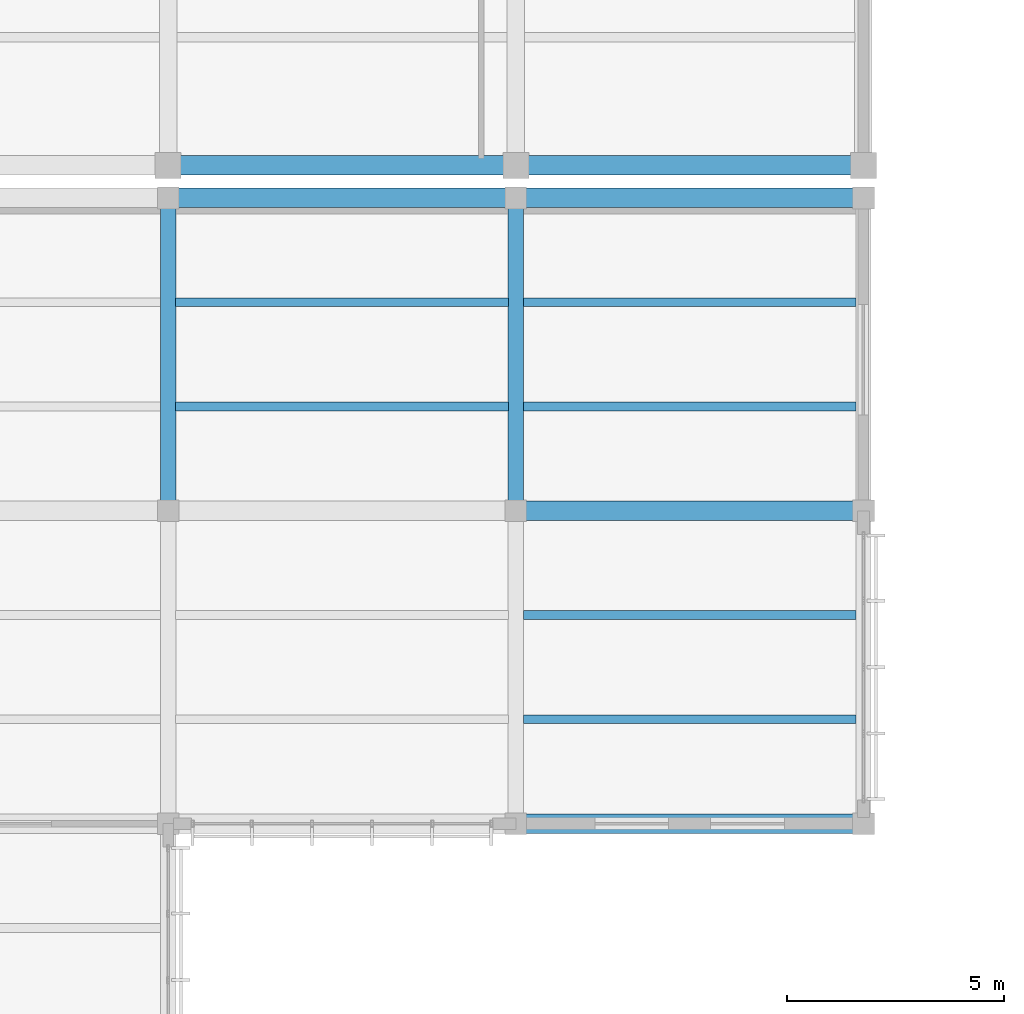
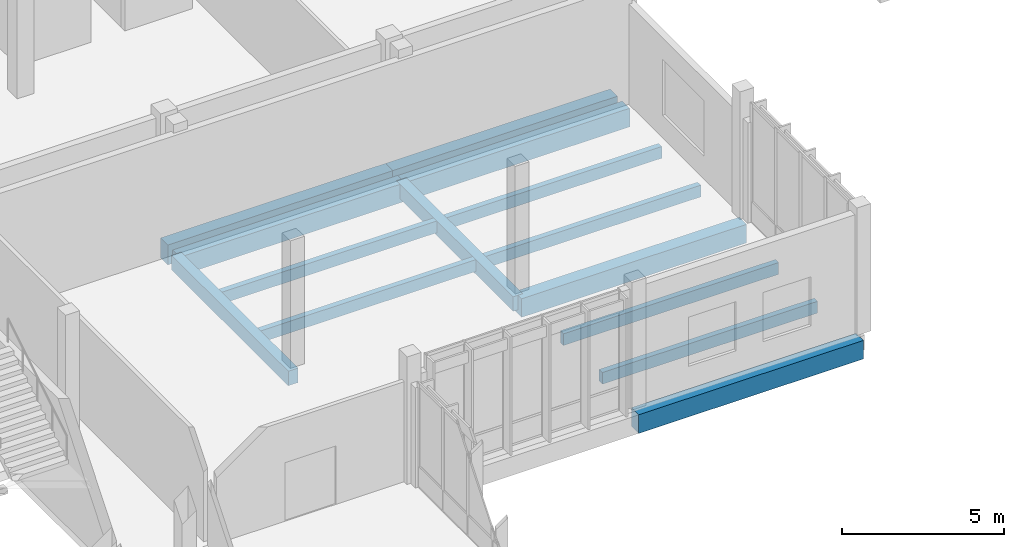
# One storey, part 70 of 177: 14 beams.
"""IFC4 building model written with IfcOpenShell, lengths in metres."""

from ifc_helpers import new_model, si_unit, direction, frame, origin, origin_2d, place, context, subcontext, project, spatial, rectangle, extrude, material, material_profile, profile_set, type_object, element, save


model = new_model("IFC4")

# Units and contexts
model_context = context("Model", 3, precision=1e-05, world=origin(), true_north=direction((0.0, 1.0)))
body_context = subcontext(model_context, "Body", "Model", "MODEL_VIEW")
ifc_project = project(units=[si_unit("LENGTHUNIT", "METRE"), si_unit("AREAUNIT", "SQUARE_METRE"), si_unit("VOLUMEUNIT", "CUBIC_METRE"), si_unit("PLANEANGLEUNIT", "RADIAN"), si_unit("MASSUNIT", "GRAM", prefix="KILO")], contexts=[model_context])

# Site, building, storey
site_placement = place(None, origin())
site = spatial("IfcSite", under=ifc_project, at=site_placement, CompositionType="ELEMENT")
building_placement = place(site_placement, origin())
building = spatial("IfcBuilding", under=site, at=building_placement, Name="Chiffa Square Polytechnic", CompositionType="ELEMENT")
storey_placement = place(building_placement, frame((0.0, 0.0, 4.800048828125)))
storey = spatial("IfcBuildingStorey", under=building, at=storey_placement, Name="L01", CompositionType="ELEMENT", Elevation=4.800048828125)

# Beams
ifc_material_1 = material(Name="Concrete C35/45", Category="concrete")
ifc_material_profile_1 = material_profile(ifc_material_1, rectangle(XDim=0.35009765625, YDim=0.550048828125, at=origin_2d()), Name="RC 350x550")
ifc_profile_set_1 = profile_set([ifc_material_profile_1], Name="Concrete C35/45")
beam_type_1 = type_object("IfcBeamType", Name="BM-RC-350X550", PredefinedType="BEAM", material=ifc_profile_set_1)
for number, where, z_axis, x_axis, name in (
    (1, (32.0, 87.0, -0.554931640625), (0.0, 1.0, 0.0), (-1.0, 0.0, 0.0), "Primary floor girder BM-V6-L01-Y-0320-0870"),
    (2, (40.0, 87.0, -0.554931640625), (0.0, 1.0, 0.0), (-1.0, 0.0, 0.0), "Primary floor girder BM-V6-L01-Y-0400-0870"),
):
    element("IfcBeam", number, at=place(storey_placement, frame(where, z_axis=z_axis, x_axis=x_axis)), inside=storey, type_object=beam_type_1, Name=name, PredefinedType="BEAM", context=body_context, shape_type="SweptSolid", body=[
        extrude(rectangle(XDim=0.35009765625, YDim=0.550048828125, at=origin_2d()), origin(), (0.0, 0.0, 1.0), 7.199951171875),
    ])
ifc_material_profile_2 = material_profile(ifc_material_1, rectangle(XDim=0.449951171875, YDim=0.699951171875, at=origin_2d()), Name="RC 450x700")
ifc_profile_set_2 = profile_set([ifc_material_profile_2], Name="Concrete C35/45")
beam_type_2 = type_object("IfcBeamType", Name="BM-RC-450X700", PredefinedType="BEAM", material=ifc_profile_set_2)
for number, where, z_axis, x_axis, name in (
    (3, (40.0, 79.800048828125, -0.630126953125), (1.0, 0.0, 0.0), (0.0, 1.0, 0.0), "Primary floor girder BM-V6-L01-X-0400-0798"),
    (4, (40.0, 87.0, -0.630126953125), (1.0, 0.0, 0.0), (0.0, 1.0, 0.0), "Primary floor girder BM-V6-L01-X-0400-0870"),
    (5, (32.0, 94.199951171875, -0.630126953125), (1.0, 0.0, 0.0), (0.0, 1.0, 0.0), "Primary floor girder BM-V6-L01-X-0320-0942"),
    (6, (40.0, 94.199951171875, -0.630126953125), (1.0, 0.0, 0.0), (0.0, 1.0, 0.0), "Primary floor girder BM-V6-L01-X-0400-0942"),
):
    element("IfcBeam", number, at=place(storey_placement, frame(where, z_axis=z_axis, x_axis=x_axis)), inside=storey, type_object=beam_type_2, Name=name, PredefinedType="BEAM", context=body_context, shape_type="SweptSolid", body=[
        extrude(rectangle(XDim=0.449951171875, YDim=0.699951171875, at=origin_2d()), origin(), (0.0, 0.0, 1.0), 8.0),
    ])
ifc_material_profile_3 = material_profile(ifc_material_1, rectangle(XDim=0.449951171875, YDim=0.75, at=origin_2d()), Name="RC 450x750")
ifc_profile_set_3 = profile_set([ifc_material_profile_3], Name="Concrete C35/45")
beam_type_3 = type_object("IfcBeamType", Name="BM-RC-450X750", PredefinedType="BEAM", material=ifc_profile_set_3)
for number, where, z_axis, x_axis, name in (
    (7, (32.0, 94.949951171875, -0.655029296875), (1.0, 0.0, 0.0), (0.0, 1.0, 0.0), "Primary floor girder BM-V5-L01-X-0320-0950"),
    (8, (40.0, 94.949951171875, -0.655029296875), (1.0, 0.0, 0.0), (0.0, 1.0, 0.0), "Primary floor girder BM-V5-L01-X-0400-0950"),
):
    element("IfcBeam", number, at=place(storey_placement, frame(where, z_axis=z_axis, x_axis=x_axis)), inside=storey, type_object=beam_type_3, Name=name, PredefinedType="BEAM", context=body_context, shape_type="SweptSolid", body=[
        extrude(rectangle(XDim=0.449951171875, YDim=0.75, at=origin_2d()), origin(), (0.0, 0.0, 1.0), 8.0),
    ])
ifc_material_2 = material(Name="Glulam GL28h", Category="wood")
ifc_material_profile_4 = material_profile(ifc_material_2, rectangle(XDim=0.199951171875, YDim=0.43994140625, at=origin_2d()), Name="GL28h 200x440")
ifc_profile_set_4 = profile_set([ifc_material_profile_4], Name="Glulam GL28h")
beam_type_4 = type_object("IfcBeamType", Name="JST-GL-200X440", PredefinedType="JOIST", material=ifc_profile_set_4)
for number, where, z_axis, x_axis, name in (
    (9, (32.173095703125, 89.39990234375, -0.5), (1.0, 0.0, 0.0), (0.0, 1.0, 0.0), "Secondary floor joist JST-V6-L01-0320-0894"),
    (10, (32.173095703125, 91.800048828125, -0.5), (1.0, 0.0, 0.0), (0.0, 1.0, 0.0), "Secondary floor joist JST-V6-L01-0320-0918"),
    (11, (40.173095703125, 82.199951171875, -0.5), (1.0, 0.0, 0.0), (0.0, 1.0, 0.0), "Secondary floor joist JST-V6-L01-0400-0822"),
    (12, (40.173095703125, 84.60009765625, -0.5), (1.0, 0.0, 0.0), (0.0, 1.0, 0.0), "Secondary floor joist JST-V6-L01-0400-0846"),
    (13, (40.173095703125, 89.39990234375, -0.5), (1.0, 0.0, 0.0), (0.0, 1.0, 0.0), "Secondary floor joist JST-V6-L01-0400-0894"),
    (14, (40.173095703125, 91.800048828125, -0.5), (1.0, 0.0, 0.0), (0.0, 1.0, 0.0), "Secondary floor joist JST-V6-L01-0400-0918"),
):
    element("IfcBeam", number, at=place(storey_placement, frame(where, z_axis=z_axis, x_axis=x_axis)), inside=storey, type_object=beam_type_4, Name=name, PredefinedType="JOIST", context=body_context, shape_type="SweptSolid", body=[
        extrude(rectangle(XDim=0.199951171875, YDim=0.43994140625, at=origin_2d()), origin(), (0.0, 0.0, 1.0), 7.65380859375),
    ])

save(model, "model.ifc")
